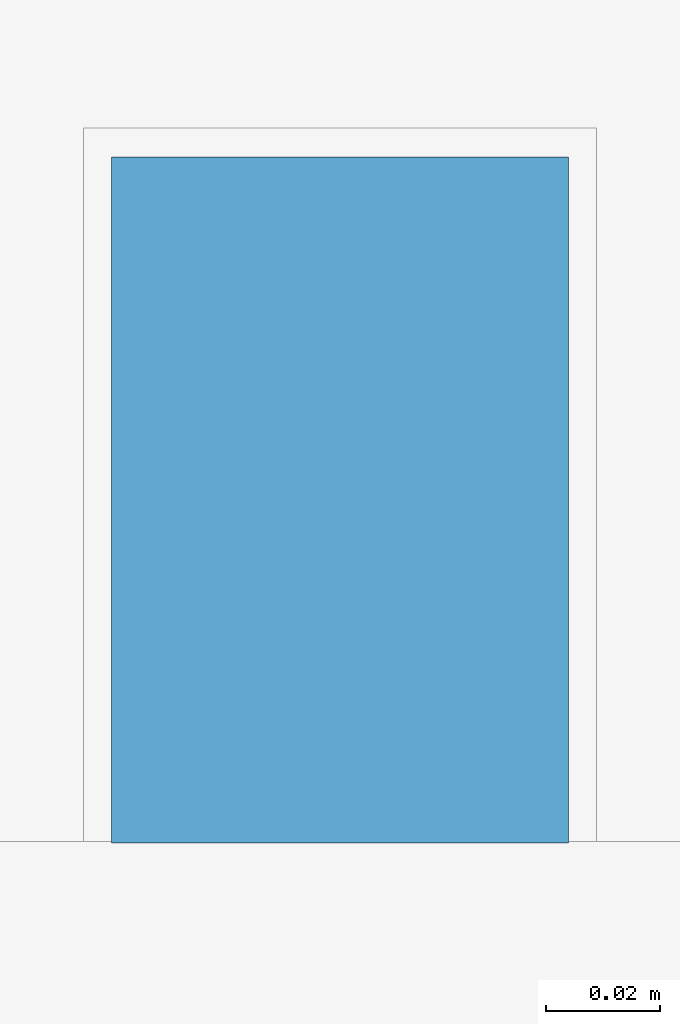
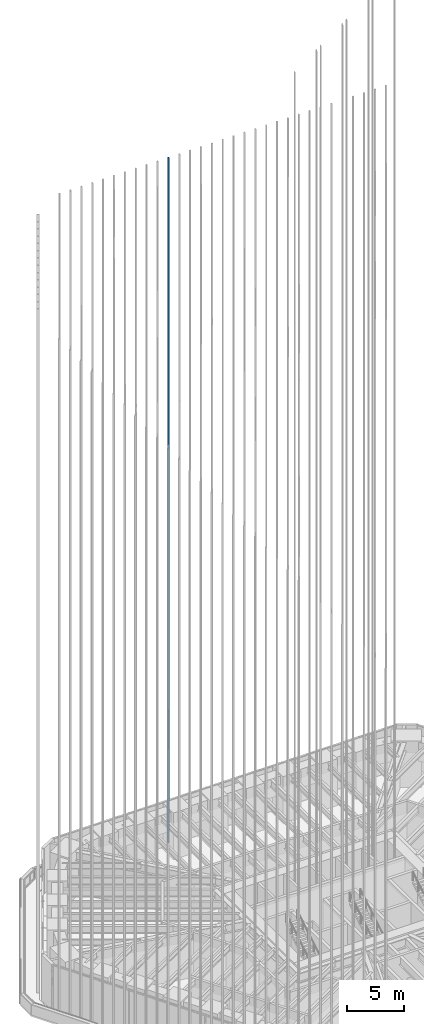
# One storey, part 167 of 228: 1 member, 1 element without a shape of its own.
"""IFC4 building model written with IfcOpenShell, lengths in metres."""

from ifc_helpers import new_model, si_unit, direction, frame, origin, origin_2d, place, context, subcontext, project, spatial, rectangle, extrude, material, material_profile, profile_set, type_object, element, aggregate, save


model = new_model("IFC4")

# Units and contexts
model_context = context("Model", 3, precision=1e-05, world=origin(), true_north=direction((0.0, 1.0)))
body_context = subcontext(model_context, "Body", "Model", "MODEL_VIEW")
ifc_project = project(units=[si_unit("LENGTHUNIT", "METRE"), si_unit("AREAUNIT", "SQUARE_METRE"), si_unit("VOLUMEUNIT", "CUBIC_METRE"), si_unit("PLANEANGLEUNIT", "RADIAN"), si_unit("MASSUNIT", "GRAM", prefix="KILO")], contexts=[model_context])

# Site, building, storey
site_placement = place(None, origin())
site = spatial("IfcSite", under=ifc_project, at=site_placement, CompositionType="ELEMENT")
building_placement = place(site_placement, origin())
building = spatial("IfcBuilding", under=site, at=building_placement, Name="Sandreach Pilgrim Tower", CompositionType="ELEMENT")
storey_placement = place(building_placement, frame((0.0, 0.0, 178.199951171875)))
storey = spatial("IfcBuildingStorey", under=building, at=storey_placement, Name="L44", CompositionType="ELEMENT", Elevation=178.199951171875)

# Curtain wall, member
ifc_material_1 = material(Name="Aluminium framed curtain wall", Category="aluminium")
curtain_wall_type = type_object("IfcCurtainWallType", Name="Upper hotel tower curtain wall", PredefinedType="NOTDEFINED", material=ifc_material_1)
curtain_wall_placement = place(storey_placement, origin())
curtain_wall = element("IfcCurtainWall", 1, at=curtain_wall_placement, inside=storey, type_object=curtain_wall_type, Name="CW-3 L44 N", PredefinedType="NOTDEFINED")
ifc_material_2 = material(Name="Extruded terracotta on aluminium core", Category="masonry")
ifc_material_profile = material_profile(ifc_material_2, rectangle(XDim=0.080078125, YDim=0.1201171875, at=origin_2d()), Name="TBN 80X120")
ifc_profile_set = profile_set([ifc_material_profile], Name="Extruded terracotta on aluminium core")
member_type = type_object("IfcMemberType", Name="Terracotta baguette north", PredefinedType="USERDEFINED", material=ifc_profile_set)
member_placement = place(storey_placement, frame((-5.499267578125, 21.52001953125, 0.0), z_axis=(0.0, 0.0, 1.0), x_axis=(1.0, 0.0, 0.0)))
member = element("IfcMember", 2, at=member_placement, type_object=member_type, Name="Baguette Z3 N11", ObjectType="BAGUETTE", PredefinedType="USERDEFINED", context=body_context, shape_type="SweptSolid", body=[
    extrude(rectangle(XDim=0.080078125, YDim=0.1201171875, at=origin_2d()), origin(), (0.0, 0.0, 1.0), 73.239990234375),
])
aggregate(curtain_wall, [member])

save(model, "model.ifc")
